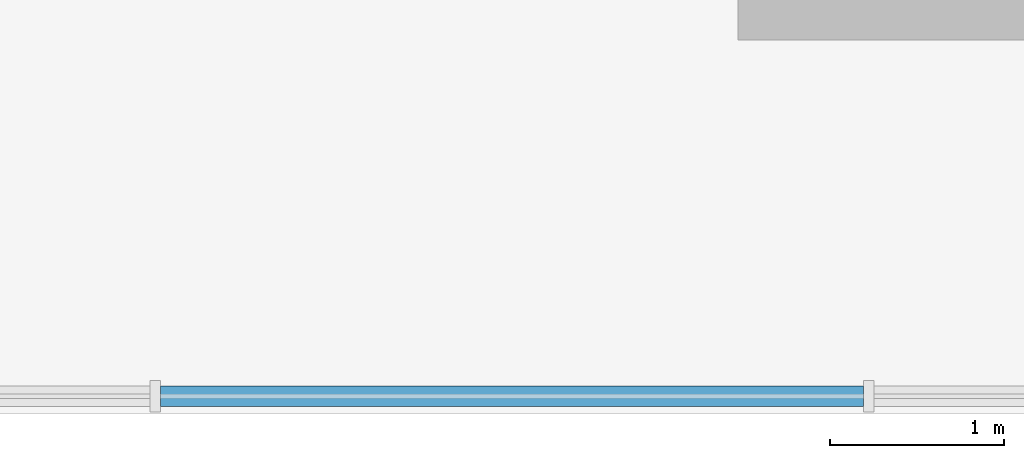
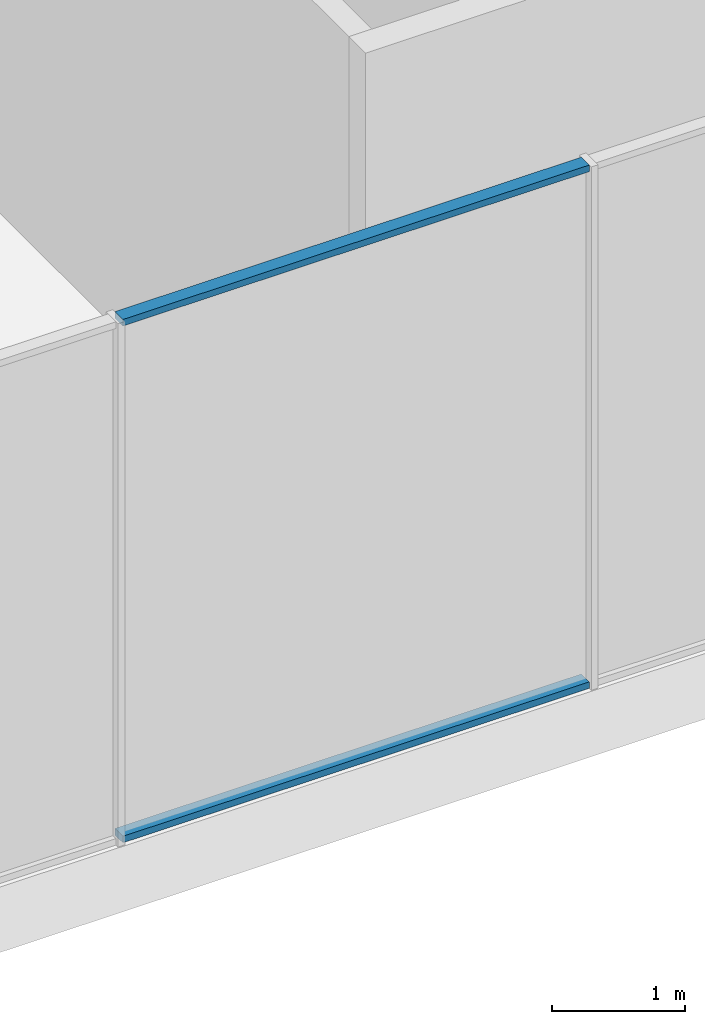
# One storey, part 3 of 23: 2 members, 1 element without a shape of its own.
"""IFC4 building model written with IfcOpenShell, lengths in metres."""

from ifc_helpers import new_model, si_unit, direction, frame, origin, origin_2d, place, context, subcontext, project, spatial, rectangle, extrude, source, transform, mapped, material, layer, layer_set, material_profile, profile_set, type_object, element, aggregate, save


model = new_model("IFC4")

# Units and contexts
model_context = context("Model", 3, precision=1e-05, world=origin(), true_north=direction((0.0, 1.0)))
body_context = subcontext(model_context, "Body", "Model", "MODEL_VIEW")
ifc_project = project(units=[si_unit("LENGTHUNIT", "METRE"), si_unit("AREAUNIT", "SQUARE_METRE"), si_unit("VOLUMEUNIT", "CUBIC_METRE"), si_unit("PLANEANGLEUNIT", "RADIAN"), si_unit("MASSUNIT", "GRAM", prefix="KILO")], contexts=[model_context])

# Site, building, storey
site_placement = place(None, origin())
site = spatial("IfcSite", under=ifc_project, at=site_placement, CompositionType="ELEMENT")
building_placement = place(site_placement, origin())
building = spatial("IfcBuilding", under=site, at=building_placement, Name="Aurelian Terraces", CompositionType="ELEMENT")
storey_placement = place(building_placement, frame((0.0, 0.0, 18.3)))
storey = spatial("IfcBuildingStorey", under=building, at=storey_placement, Name="L03", CompositionType="ELEMENT", Elevation=18.3)

# Curtain wall, members
ifc_material_1 = material(Name="Anodised aluminium and clear glazing", Category="aluminium")
ifc_layer = layer(ifc_material_1, 0.2)
ifc_layer_set = layer_set([ifc_layer], Name="Winter garden glazing curtain wall")
curtain_wall_type = type_object("IfcCurtainWallType", Name="Winter garden glazing curtain wall", PredefinedType="NOTDEFINED", material=ifc_layer_set)
curtain_wall_placement = place(storey_placement, origin())
curtain_wall = element("IfcCurtainWall", 1, at=curtain_wall_placement, inside=storey, type_object=curtain_wall_type, Name="Winter garden glazing L03 F01.1", PredefinedType="NOTDEFINED")
ifc_material_2 = material(Name="Anodised aluminium", Category="aluminium")
ifc_material_profile = material_profile(ifc_material_2, rectangle(XDim=0.12, YDim=0.06, at=origin_2d()))
ifc_profile_set = profile_set([ifc_material_profile], Name="Anodised aluminium")
member_type = type_object("IfcMemberType", Name="Winter garden glazing transom", PredefinedType="USERDEFINED", material=ifc_profile_set)
shared_shape = source(origin(), body_context, "Body", "SweptSolid", [
    extrude(rectangle(XDim=0.12, YDim=0.06, at=origin_2d()), origin(), (0.0, 0.0, 1.0), 4.0466),
])
member_1_placement = place(storey_placement, frame((26.6767, -2.0, 0.03), z_axis=(1.0, 0.0, 0.0), x_axis=(0.0, 1.0, 0.0)))
member_1 = element("IfcMember", 2, at=member_1_placement, type_object=member_type, Name="CW6 transom 8.1", ObjectType="TRANSOM", PredefinedType="USERDEFINED", context=body_context, shape_type="MappedRepresentation", body=[
    mapped(shared_shape, transform((0.0, 0.0, 0.0), scale=1.0)),
])
member_2_placement = place(storey_placement, frame((26.6767, -2.0, 4.77), z_axis=(1.0, 0.0, 0.0), x_axis=(0.0, 1.0, 0.0)))
member_2 = element("IfcMember", 3, at=member_2_placement, type_object=member_type, Name="CW6 transom 8.2", ObjectType="TRANSOM", PredefinedType="USERDEFINED", context=body_context, shape_type="MappedRepresentation", body=[
    mapped(shared_shape, transform((0.0, 0.0, 0.0), scale=1.0)),
])
aggregate(curtain_wall, [member_1, member_2])

save(model, "model.ifc")
